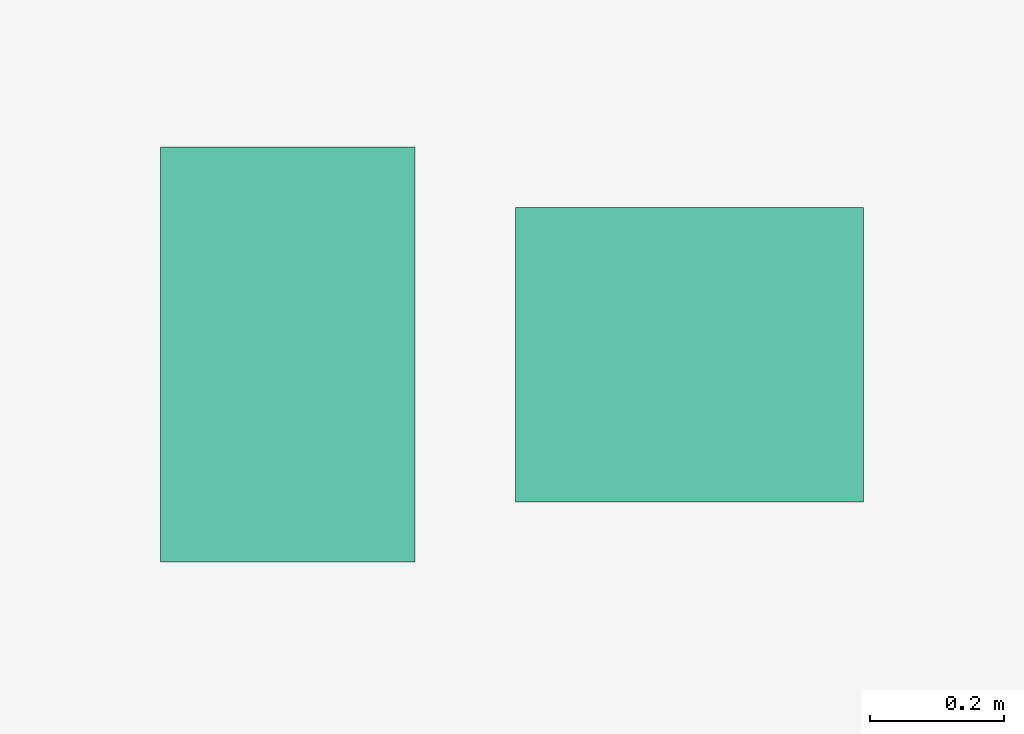
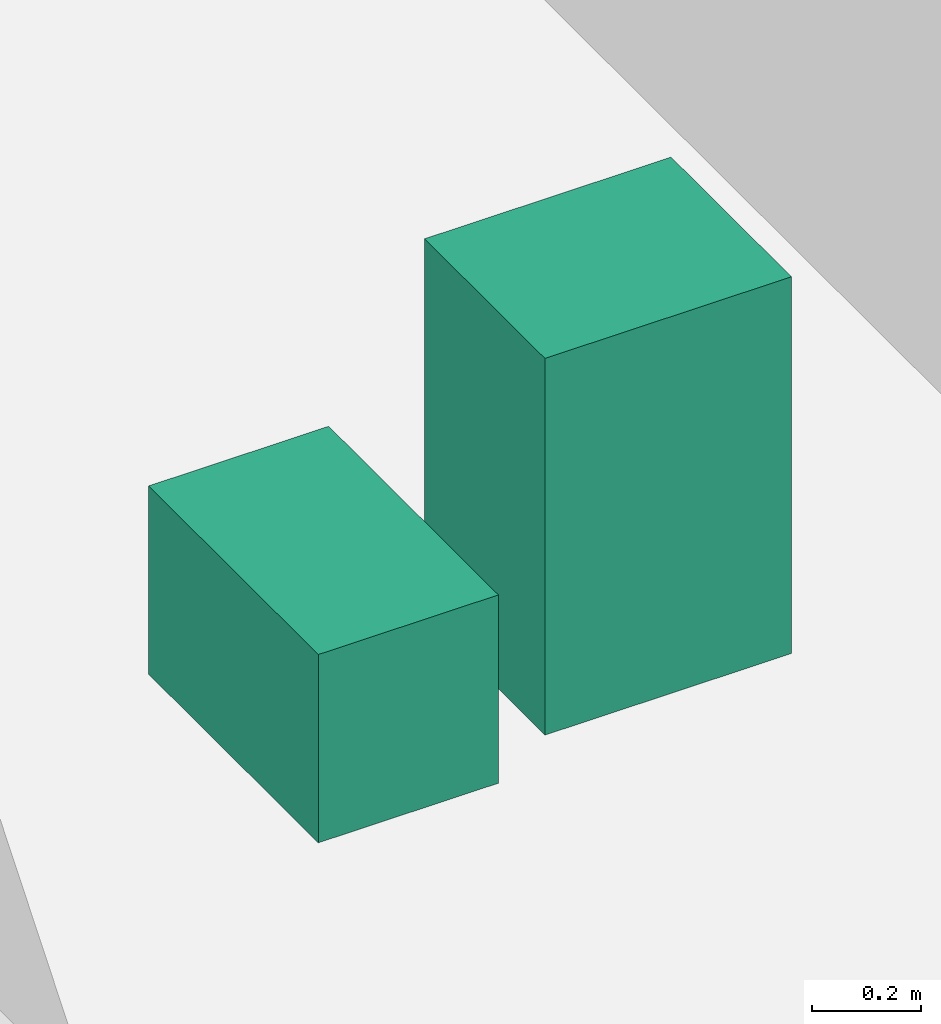
# One storey, part 15 of 16: 2 sanitary terminals.
"""IFC4 building model written with IfcOpenShell, lengths in metres."""

from ifc_helpers import new_model, si_unit, direction, frame, origin, origin_2d, place, context, subcontext, project, spatial, rectangle, extrude, source, transform, mapped, material, type_object, element, save


model = new_model("IFC4")

# Units and contexts
model_context = context("Model", 3, precision=1e-05, world=origin(), true_north=direction((0.0, 1.0)))
body_context = subcontext(model_context, "Body", "Model", "MODEL_VIEW")
ifc_project = project(units=[si_unit("LENGTHUNIT", "METRE"), si_unit("AREAUNIT", "SQUARE_METRE"), si_unit("VOLUMEUNIT", "CUBIC_METRE"), si_unit("PLANEANGLEUNIT", "RADIAN"), si_unit("MASSUNIT", "GRAM", prefix="KILO")], contexts=[model_context])

# Site, building, storey
site_placement = place(None, origin())
site = spatial("IfcSite", under=ifc_project, at=site_placement, CompositionType="ELEMENT")
building_placement = place(site_placement, origin())
building = spatial("IfcBuilding", under=site, at=building_placement, Name="Qafzar Sky-Pleat Residences", CompositionType="ELEMENT")
storey_placement = place(building_placement, origin())
storey = spatial("IfcBuildingStorey", under=building, at=storey_placement, Name="L00", CompositionType="ELEMENT", Elevation=0.0)

# Sanitary terminals
ifc_material = material(Name="Vitreous china sanitaryware")
sanitary_terminal_type_1 = type_object("IfcSanitaryTerminalType", Name="SAN-WC-PAN", PredefinedType="TOILETPAN", material=ifc_material)
shared_shape_1 = source(origin(), body_context, "Body", "SweptSolid", [
    extrude(rectangle(XDim=0.3798828125, YDim=0.6201171875, at=origin_2d()), origin(), (0.0, 0.0, 1.0), 0.419921875),
])
sanitary_terminal_1_placement = place(storey_placement, frame((22.39990234375, 34.800048828125, 0.0), z_axis=(0.0, 0.0, 1.0), x_axis=(1.0, 0.0, 0.0)))
element("IfcSanitaryTerminal", 1, at=sanitary_terminal_1_placement, inside=storey, type_object=sanitary_terminal_type_1, Name="L00 Ground Accessible WC Pan", PredefinedType="TOILETPAN", context=body_context, shape_type="MappedRepresentation", body=[
    mapped(shared_shape_1, transform((0.0, 0.0, 0.0), x_axis=(1.0, 0.0, 0.0), y_axis=(0.0, 1.0, 0.0), z_axis=(0.0, 0.0, 1.0), scale=1.0)),
])
sanitary_terminal_type_2 = type_object("IfcSanitaryTerminalType", Name="SAN-BASIN", PredefinedType="WASHHANDBASIN", material=ifc_material)
shared_shape_2 = source(origin(), body_context, "Body", "SweptSolid", [
    extrude(rectangle(XDim=0.52001953125, YDim=0.43994140625, at=origin_2d()), origin(), (0.0, 0.0, 1.0), 0.840087890625),
])
sanitary_terminal_2_placement = place(storey_placement, frame((23.0, 34.800048828125, 0.0), z_axis=(0.0, 0.0, 1.0), x_axis=(1.0, 0.0, 0.0)))
element("IfcSanitaryTerminal", 2, at=sanitary_terminal_2_placement, inside=storey, type_object=sanitary_terminal_type_2, Name="L00 Ground Accessible Pedestal Washbasin", PredefinedType="WASHHANDBASIN", context=body_context, shape_type="MappedRepresentation", body=[
    mapped(shared_shape_2, transform((0.0, 0.0, 0.0), x_axis=(1.0, 0.0, 0.0), y_axis=(0.0, 1.0, 0.0), z_axis=(0.0, 0.0, 1.0), scale=1.0)),
])

save(model, "model.ifc")
